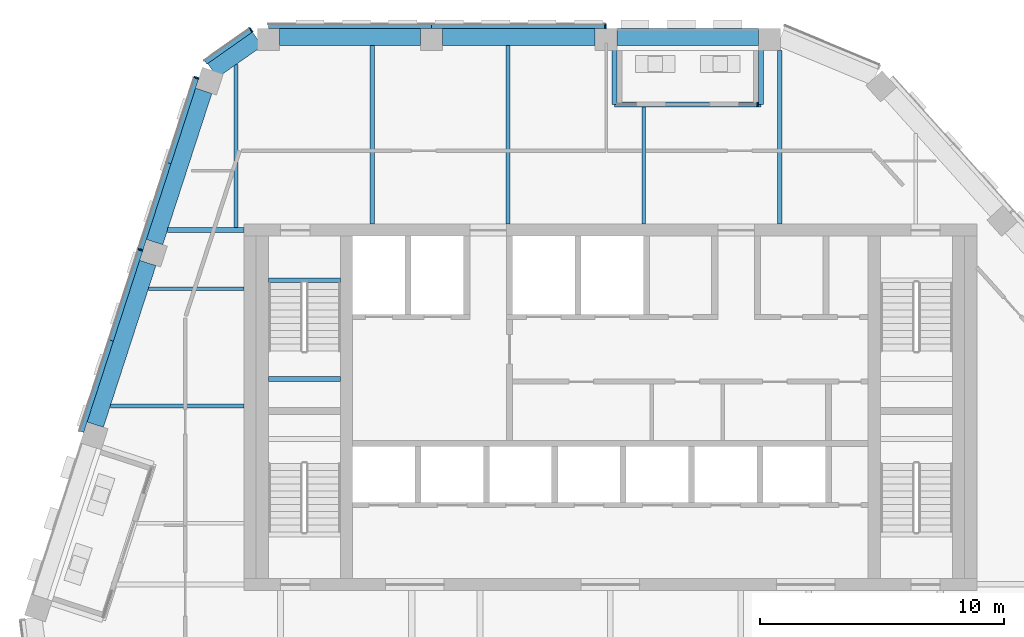
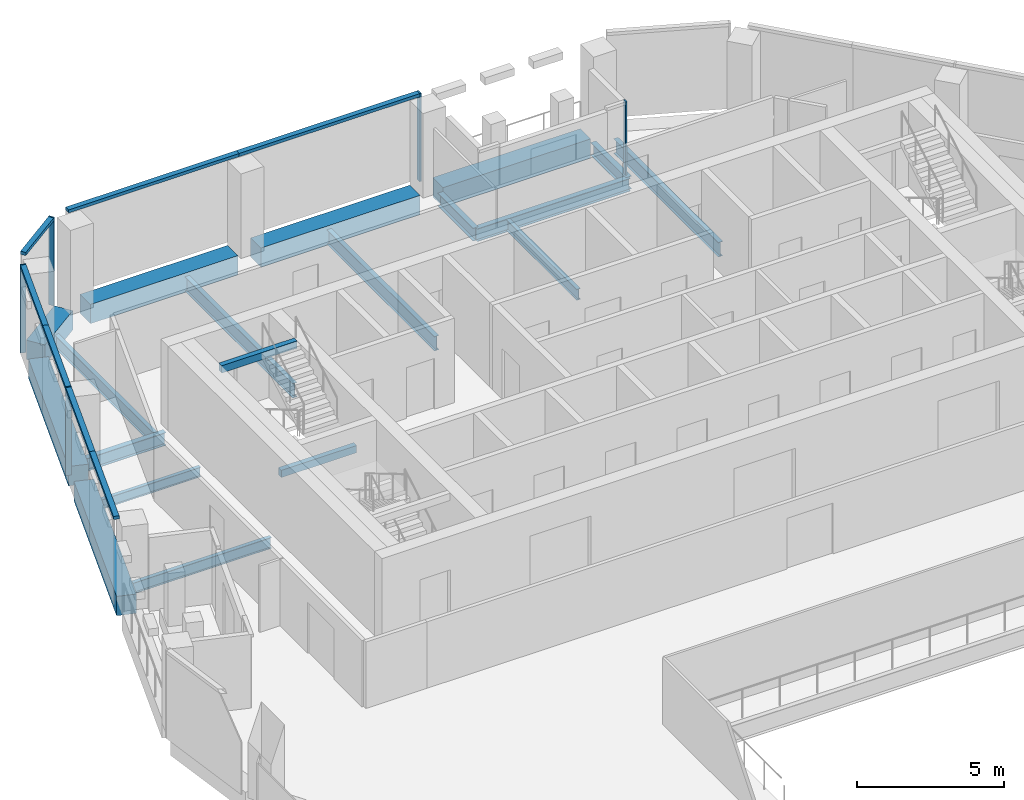
# One storey, part 7 of 22: 19 beams, 12 members, 4 elements without a shape of their own.
"""IFC4 building model written with IfcOpenShell, lengths in metres."""

import ifcopenshell
import ifcopenshell.guid

model = None  # the IFC model being written
_history = None  # IfcOwnerHistory: only IFC2X3 demands one
_inside = {}  # id of a spatial element -> (the spatial element, [elements in it])
_under = {}  # id of a project, library or spatial element -> (it, [spatial elements below it])
_declared = {}  # id of a project -> (the project, [libraries it declares])
_typed = {}  # id of a type object -> (the type object, [elements of that type])
_made_of = {}  # id of a material, layer set ... -> (it, [elements and type objects made of it])


def new_model(schema):
    """Start an empty IFC model of exactly this schema.

    Asked for "IFC4X3", IfcOpenShell would pick the latest addendum, in which some entities
    have other attributes; the version numbers below select the first issue.
    IFC2X3 requires an IfcOwnerHistory on every rooted entity: one is made here for all.
    """
    global model, _history
    if schema == "IFC4X3":
        model = ifcopenshell.file(schema_version=(4, 3, 0, 0))
    else:
        model = ifcopenshell.file(schema=schema)
    _inside.clear()
    _under.clear()
    _declared.clear()
    _typed.clear()
    _made_of.clear()
    _history = None
    if model.schema == "IFC2X3":
        org = make("IfcOrganization", Name="unknown")
        user = make(
            "IfcPersonAndOrganization",
            ThePerson=make("IfcPerson", FamilyName="unknown"),
            TheOrganization=org,
        )
        app = make(
            "IfcApplication",
            ApplicationDeveloper=org,
            Version="unknown",
            ApplicationFullName="unknown",
            ApplicationIdentifier="unknown",
        )
        _history = make(
            "IfcOwnerHistory",
            OwningUser=user,
            OwningApplication=app,
            ChangeAction="ADDED",
            CreationDate=0,
        )
    return model


def make(cls, **values):
    """One entity of the class cls with the attributes given. An attribute that is None is left unset."""
    return model.create_entity(
        cls, **{name: value for name, value in values.items() if value is not None}
    )


def rooted(cls, **values):
    """An entity with a GlobalId (a new one), such as an element, a storey or a relation."""
    return make(cls, GlobalId=ifcopenshell.guid.new(), OwnerHistory=_history, **values)


def si_unit(unit_type, name, prefix=None):
    """IfcSIUnit, for example si_unit("LENGTHUNIT", "METRE", prefix="MILLI")."""
    return make("IfcSIUnit", UnitType=unit_type, Prefix=prefix, Name=name)


def assignment(units):
    """IfcUnitAssignment: the units of a project."""
    return None if units is None else make("IfcUnitAssignment", Units=units)


def point(xyz):
    """IfcCartesianPoint."""
    return None if xyz is None else make("IfcCartesianPoint", Coordinates=xyz)


def direction(xyz):
    """IfcDirection."""
    return None if xyz is None else make("IfcDirection", DirectionRatios=xyz)


def frame(location, z_axis=None, x_axis=None):
    """IfcAxis2Placement3D, a coordinate frame: its origin and axes. An axis left out is left unset."""
    return make(
        "IfcAxis2Placement3D",
        Location=point(location),
        Axis=direction(z_axis),
        RefDirection=direction(x_axis),
    )


def frame_2d(location, x_axis=None):
    """IfcAxis2Placement2D, a coordinate frame in the plane: its origin and x axis."""
    return make(
        "IfcAxis2Placement2D", Location=point(location), RefDirection=direction(x_axis)
    )


def origin():
    """The frame at (0, 0, 0) with its axes left unset."""
    return frame((0.0, 0.0, 0.0))


def origin_2d():
    """The frame at (0, 0) in the plane with its x axis left unset."""
    return frame_2d((0.0, 0.0))


def place(relative_to, where):
    """IfcLocalPlacement: puts the frame where relative to a parent placement (None: the world)."""
    return make(
        "IfcLocalPlacement", PlacementRelTo=relative_to, RelativePlacement=where
    )


def context(
    kind, dimensions, precision=None, world=None, true_north=None, identifier=None
):
    """IfcGeometricRepresentationContext, for example the 3D "Model" context."""
    return make(
        "IfcGeometricRepresentationContext",
        ContextIdentifier=identifier,
        ContextType=kind,
        CoordinateSpaceDimension=dimensions,
        Precision=precision,
        WorldCoordinateSystem=world,
        TrueNorth=true_north,
    )


def subcontext(parent, identifier, kind, view, scale=None):
    """IfcGeometricRepresentationSubContext, for example "Body" below "Model"."""
    return make(
        "IfcGeometricRepresentationSubContext",
        ContextIdentifier=identifier,
        ContextType=kind,
        ParentContext=parent,
        TargetScale=scale,
        TargetView=view,
    )


def project(units=None, contexts=None):
    """IfcProject with its units and contexts."""
    return rooted(
        "IfcProject",
        Name="project",
        RepresentationContexts=contexts,
        UnitsInContext=assignment(units),
    )


def spatial(cls, under=None, at=None, **own):
    """A site, building, storey or space (cls), placed at a placement, below another one or the project."""
    s = rooted(cls, ObjectPlacement=at, **own)
    if under is not None:
        _under.setdefault(under.id(), (under, []))[1].append(s)
    return s


def profile(cls, at=None, kind="AREA", **sizes):
    """A parametric profile (cls). Its sizes go by their IFC names, for example OverallWidth=200.0."""
    return make(cls, ProfileType=kind, Position=at, **sizes)


def rectangle(**sizes):
    """IfcRectangleProfileDef."""
    return profile("IfcRectangleProfileDef", **sizes)


def i_section(**sizes):
    """IfcIShapeProfileDef."""
    return profile("IfcIShapeProfileDef", **sizes)


def extrude(swept, where, along, depth):
    """IfcExtrudedAreaSolid: the profile swept, set in the frame where, extruded along a direction by depth."""
    return make(
        "IfcExtrudedAreaSolid",
        SweptArea=swept,
        Position=where,
        ExtrudedDirection=direction(along),
        Depth=depth,
    )


def shape(context_of_items, identifier, shape_type, items):
    """IfcShapeRepresentation: the items that make up one representation, for example the "Body"."""
    return make(
        "IfcShapeRepresentation",
        ContextOfItems=context_of_items,
        RepresentationIdentifier=identifier,
        RepresentationType=shape_type,
        Items=items,
    )


def material(Name=None, Category=None):
    """IfcMaterial."""
    return make("IfcMaterial", Name=Name, Category=Category)


def layer(
    of_material, thickness, ventilated=None, Name=None, Category=None, Priority=None
):
    """IfcMaterialLayer: one layer of a wall or slab, of a material (None: an air gap)."""
    return make(
        "IfcMaterialLayer",
        Material=of_material,
        LayerThickness=thickness,
        IsVentilated=ventilated,
        Name=Name,
        Category=Category,
        Priority=Priority,
    )


def layer_set(layers, Name=None):
    """IfcMaterialLayerSet."""
    return make("IfcMaterialLayerSet", MaterialLayers=layers, LayerSetName=Name)


def material_profile(
    of_material, cross_section, Name=None, Category=None, Priority=None
):
    """IfcMaterialProfile: a cross section and its material."""
    return make(
        "IfcMaterialProfile",
        Name=Name,
        Material=of_material,
        Profile=cross_section,
        Priority=Priority,
        Category=Category,
    )


def profile_set(profiles, Name=None, composite=None):
    """IfcMaterialProfileSet."""
    return make(
        "IfcMaterialProfileSet",
        Name=Name,
        MaterialProfiles=profiles,
        CompositeProfile=composite,
    )


def made_of(thing, what):
    """Note that an element or type object is made of a material, layer set ...; save() writes the relation."""
    if what is not None:
        _made_of.setdefault(what.id(), (what, []))[1].append(thing)
    return thing


def type_object(cls, material=None, **own):
    """A type object (cls), such as IfcWallType, which elements share."""
    return made_of(rooted(cls, **own), material)


def element(
    cls,
    number,
    at=None,
    inside=None,
    cuts=None,
    type_object=None,
    material=None,
    context=None,
    identifier="Body",
    shape_type=None,
    held_by="IfcProductDefinitionShape",
    body=None,
    shapes=None,
    **own,
):
    """One element of the class cls, such as IfcWall. Its Tag is "e" and its number.

    at: its placement. inside: the storey or other place that contains it. cuts: it is an
    opening in that element (IfcRelVoidsElement). A single representation is given by context,
    identifier, shape_type and body (its items); several are given by shapes. held_by: the class
    of the entity that holds the representations. save() writes the other relations.
    """
    e = rooted(cls, Tag="e%d" % number, ObjectPlacement=at, **own)
    if body is not None:
        shapes = [shape(context, identifier, shape_type, body)]
    if shapes is not None:
        e.Representation = make(held_by, Representations=shapes)
    if inside is not None:
        _inside.setdefault(inside.id(), (inside, []))[1].append(e)
    if cuts is not None:
        rooted(
            "IfcRelVoidsElement", RelatingBuildingElement=cuts, RelatedOpeningElement=e
        )
    if type_object is not None:
        _typed.setdefault(type_object.id(), (type_object, []))[1].append(e)
    return made_of(e, material)


def aggregate(whole, parts):
    """IfcRelAggregates: a whole, such as a stair, and the parts it consists of."""
    return rooted("IfcRelAggregates", RelatingObject=whole, RelatedObjects=parts)


def save(model, path):
    """Write the relations noted so far, then the file.

    IfcRelAggregates (storeys below a building ...), IfcRelContainedInSpatialStructure (elements
    in a storey), IfcRelDefinesByType, IfcRelAssociatesMaterial and IfcRelDeclares: one each for
    every whole, place, type object, material and project.
    """
    for whole, parts in _under.values():
        aggregate(whole, parts)
    for where, things in _inside.values():
        rooted(
            "IfcRelContainedInSpatialStructure",
            RelatedElements=things,
            RelatingStructure=where,
        )
    for kind, things in _typed.values():
        rooted("IfcRelDefinesByType", RelatedObjects=things, RelatingType=kind)
    for what, things in _made_of.values():
        rooted("IfcRelAssociatesMaterial", RelatedObjects=things, RelatingMaterial=what)
    for by, libraries in _declared.values():
        rooted("IfcRelDeclares", RelatingContext=by, RelatedDefinitions=libraries)
    model.write(path)


model = new_model("IFC4")

# Units and contexts
model_context = context("Model", 3, precision=1e-05, world=origin(), true_north=direction((0.0, 1.0)))
body_context = subcontext(model_context, "Body", "Model", "MODEL_VIEW")
ifc_project = project(units=[si_unit("LENGTHUNIT", "METRE"), si_unit("AREAUNIT", "SQUARE_METRE"), si_unit("VOLUMEUNIT", "CUBIC_METRE"), si_unit("PLANEANGLEUNIT", "RADIAN"), si_unit("MASSUNIT", "GRAM", prefix="KILO")], contexts=[model_context])

# Site, building, storey
site_placement = place(None, origin())
site = spatial("IfcSite", under=ifc_project, at=site_placement, CompositionType="ELEMENT")
building_placement = place(site_placement, origin())
building = spatial("IfcBuilding", under=site, at=building_placement, Name="Isthmus Gate Tower", CompositionType="ELEMENT")
storey_placement = place(building_placement, frame((0.0, 0.0, 264.60009765625)))
storey = spatial("IfcBuildingStorey", under=building, at=storey_placement, Name="L67", CompositionType="ELEMENT", Elevation=264.60009765625)

# Curtain wall, member
ifc_material_1 = material(Name="Aluminium, pale champagne anodised", Category="aluminium")
ifc_layer_1 = layer(ifc_material_1, 0.199951171875)
ifc_layer_set_1 = layer_set([ifc_layer_1], Name="CW-1 UNITISED CURTAIN WALL 200 DEEP")
curtain_wall_type_1 = type_object("IfcCurtainWallType", Name="CW-1 UNITISED CURTAIN WALL 200 DEEP", PredefinedType="NOTDEFINED", material=ifc_layer_set_1)
curtain_wall_1_placement = place(storey_placement, origin())
curtain_wall_1 = element("IfcCurtainWall", 1, at=curtain_wall_1_placement, inside=storey, type_object=curtain_wall_type_1, Name="CW-1 N L67", PredefinedType="NOTDEFINED")
ifc_material_2 = material(Name="Aluminium, pale champagne anodised", Category="aluminium")
ifc_material_profile_1 = material_profile(ifc_material_2, rectangle(XDim=0.06005859375, YDim=0.199951171875, at=origin_2d()), Name="60x200")
ifc_profile_set_1 = profile_set([ifc_material_profile_1], Name="Aluminium, pale champagne anodised")
member_type_1 = type_object("IfcMemberType", Name="CW-1 MULLION 60 X 200", PredefinedType="MULLION", material=ifc_profile_set_1)
member_1_placement = place(storey_placement, frame((-0.205078125, 23.10009765625, 0.0), z_axis=(0.0, 0.0, 1.0), x_axis=(-1.0, 0.0, 0.0)))
member_1 = element("IfcMember", 2, at=member_1_placement, type_object=member_type_1, Name="CW-1 mullion", PredefinedType="MULLION", context=body_context, shape_type="SweptSolid", body=[
    extrude(rectangle(XDim=0.06005859375, YDim=0.199951171875, at=origin_2d()), origin(), (0.0, 0.0, 1.0), 3.64990234375),
])

curtain_wall_2_placement = place(storey_placement, origin())
curtain_wall_2 = element("IfcCurtainWall", 3, at=curtain_wall_2_placement, inside=storey, type_object=curtain_wall_type_1, Name="CW-1 N-NW L67", PredefinedType="NOTDEFINED")
member_2_placement = place(storey_placement, frame((-14.69873046875, 22.943115234375, 0.0), z_axis=(0.0, 0.0, 1.0), x_axis=(-0.81785959165, -0.57541783805, 0.0)))
member_2 = element("IfcMember", 4, at=member_2_placement, type_object=member_type_1, Name="CW-1 mullion", PredefinedType="MULLION", context=body_context, shape_type="SweptSolid", body=[
    extrude(rectangle(XDim=0.06005859375, YDim=0.199951171875, at=origin_2d()), origin(), (0.0, 0.0, 1.0), 3.64990234375),
])

# Curtain wall, members
curtain_wall_3_placement = place(storey_placement, origin())
curtain_wall_3 = element("IfcCurtainWall", 5, at=curtain_wall_3_placement, inside=storey, type_object=curtain_wall_type_1, Name="CW-1 NW L67", PredefinedType="NOTDEFINED")
member_3_placement = place(storey_placement, frame((-16.9404296875, 20.9892578125, 0.0), z_axis=(0.0, 0.0, 1.0), x_axis=(-0.309016994375, -0.951056516295, 0.0)))
member_3 = element("IfcMember", 6, at=member_3_placement, type_object=member_type_1, Name="CW-1 mullion", PredefinedType="MULLION", context=body_context, shape_type="SweptSolid", body=[
    extrude(rectangle(XDim=0.06005859375, YDim=0.199951171875, at=origin_2d()), origin(), (0.0, 0.0, 1.0), 3.64990234375),
])
member_4_placement = place(storey_placement, frame((-19.229248046875, 13.945068359375, 0.0), z_axis=(0.0, 0.0, 1.0), x_axis=(-0.309016994375, -0.951056516295, 0.0)))
member_4 = element("IfcMember", 7, at=member_4_placement, type_object=member_type_1, Name="CW-1 mullion", PredefinedType="MULLION", context=body_context, shape_type="SweptSolid", body=[
    extrude(rectangle(XDim=0.06005859375, YDim=0.199951171875, at=origin_2d()), origin(), (0.0, 0.0, 1.0), 3.64990234375),
])

# Member
ifc_material_3 = material(Name="Aluminium, pale champagne anodised", Category="aluminium")
ifc_material_profile_2 = material_profile(ifc_material_3, rectangle(XDim=0.199951171875, YDim=0.1298828125, at=origin_2d()), Name="200x130")
ifc_profile_set_2 = profile_set([ifc_material_profile_2], Name="Aluminium, pale champagne anodised")
member_type_2 = type_object("IfcMemberType", Name="CW-1 TRANSOM 200 X 130", PredefinedType="USERDEFINED", material=ifc_profile_set_2)
member_5_placement = place(storey_placement, frame((-0.235107421875, 23.10009765625, 3.5849609375), z_axis=(-1.0, 0.0, 0.0), x_axis=(0.0, -1.0, 0.0)))
member_5 = element("IfcMember", 8, at=member_5_placement, type_object=member_type_2, Name="CW-1 transom", ObjectType="TRANSOM", PredefinedType="USERDEFINED", context=body_context, shape_type="SweptSolid", body=[
    extrude(rectangle(XDim=0.199951171875, YDim=0.1298828125, at=origin_2d()), origin(), (0.0, 0.0, 1.0), 7.074462890625),
])

member_6_placement = place(storey_placement, frame((-7.3095703125, 23.10009765625, 3.5849609375), z_axis=(-1.0, 0.0, 0.0), x_axis=(0.0, -1.0, 0.0)))
member_6 = element("IfcMember", 9, at=member_6_placement, type_object=member_type_2, Name="CW-1 transom", ObjectType="TRANSOM", PredefinedType="USERDEFINED", context=body_context, shape_type="SweptSolid", body=[
    extrude(rectangle(XDim=0.199951171875, YDim=0.1298828125, at=origin_2d()), origin(), (0.0, 0.0, 1.0), 6.6845703125),
])

aggregate(curtain_wall_1, [member_1, member_5, member_6])

member_7_placement = place(storey_placement, frame((-14.723388671875, 22.92578125, 3.5849609375), z_axis=(-0.817868595604, -0.575405040233, 0.0), x_axis=(0.575405040233, -0.817868595604, 0.0)))
member_7 = element("IfcMember", 10, at=member_7_placement, type_object=member_type_2, Name="CW-1 transom", ObjectType="TRANSOM", PredefinedType="USERDEFINED", context=body_context, shape_type="SweptSolid", body=[
    extrude(rectangle(XDim=0.199951171875, YDim=0.1298828125, at=origin_2d()), origin(), (0.0, 0.0, 1.0), 2.258544921875),
])

aggregate(curtain_wall_2, [member_2, member_7])

member_8_placement = place(storey_placement, frame((-16.94970703125, 20.960693359375, 3.5849609375), z_axis=(-0.30904213216, -0.951048348166, 0.0), x_axis=(0.951048348166, -0.30904213216, 0.0)))
member_8 = element("IfcMember", 11, at=member_8_placement, type_object=member_type_2, Name="CW-1 transom", ObjectType="TRANSOM", PredefinedType="USERDEFINED", context=body_context, shape_type="SweptSolid", body=[
    extrude(rectangle(XDim=0.199951171875, YDim=0.1298828125, at=origin_2d()), origin(), (0.0, 0.0, 1.0), 3.6435546875),
])

member_9_placement = place(storey_placement, frame((-18.07568359375, 17.49560546875, 3.5849609375), z_axis=(-0.308999609488, -0.951062164812, 0.0), x_axis=(0.951062164812, -0.308999609488, 0.0)))
member_9 = element("IfcMember", 12, at=member_9_placement, type_object=member_type_2, Name="CW-1 transom", ObjectType="TRANSOM", PredefinedType="USERDEFINED", context=body_context, shape_type="SweptSolid", body=[
    extrude(rectangle(XDim=0.199951171875, YDim=0.1298828125, at=origin_2d()), origin(), (0.0, 0.0, 1.0), 3.703125),
])

member_10_placement = place(storey_placement, frame((-19.238525390625, 13.91650390625, 3.5849609375), z_axis=(-0.309061811928, -0.951041953022, 0.0), x_axis=(0.951041953022, -0.309061811928, 0.0)))
member_10 = element("IfcMember", 13, at=member_10_placement, type_object=member_type_2, Name="CW-1 transom", ObjectType="TRANSOM", PredefinedType="USERDEFINED", context=body_context, shape_type="SweptSolid", body=[
    extrude(rectangle(XDim=0.199951171875, YDim=0.1298828125, at=origin_2d()), origin(), (0.0, 0.0, 1.0), 3.868408203125),
])

member_11_placement = place(storey_placement, frame((-20.43408203125, 10.237548828125, 3.5849609375), z_axis=(-0.308984896154, -0.951066945041, 0.0), x_axis=(0.951066945041, -0.308984896154, 0.0)))
member_11 = element("IfcMember", 14, at=member_11_placement, type_object=member_type_2, Name="CW-1 transom", ObjectType="TRANSOM", PredefinedType="USERDEFINED", context=body_context, shape_type="SweptSolid", body=[
    extrude(rectangle(XDim=0.199951171875, YDim=0.1298828125, at=origin_2d()), origin(), (0.0, 0.0, 1.0), 3.928466796875),
])

aggregate(curtain_wall_3, [member_3, member_8, member_9, member_4, member_10, member_11])

# Curtain wall, member
ifc_material_4 = material(Name="Aluminium, pale champagne anodised", Category="aluminium")
ifc_layer_2 = layer(ifc_material_4, 0.14990234375)
ifc_layer_set_2 = layer_set([ifc_layer_2], Name="CW-6 LOGGIA BACK WALL GLAZING 150 DEEP")
curtain_wall_type_2 = type_object("IfcCurtainWallType", Name="CW-6 LOGGIA BACK WALL GLAZING 150 DEEP", PredefinedType="NOTDEFINED", material=ifc_layer_set_2)
curtain_wall_4_placement = place(storey_placement, origin())
curtain_wall_4 = element("IfcCurtainWall", 15, at=curtain_wall_4_placement, inside=storey, type_object=curtain_wall_type_2, Name="CW-6 N L67", PredefinedType="NOTDEFINED")
ifc_material_5 = material(Name="Aluminium, pale champagne anodised", Category="aluminium")
ifc_material_profile_3 = material_profile(ifc_material_5, rectangle(XDim=0.06005859375, YDim=0.14990234375, at=origin_2d()), Name="60x150")
ifc_profile_set_3 = profile_set([ifc_material_profile_3], Name="Aluminium, pale champagne anodised")
member_type_3 = type_object("IfcMemberType", Name="CW-6 MULLION 60 X 150", PredefinedType="MULLION", material=ifc_profile_set_3)
member_12_placement = place(storey_placement, frame((6.029541015625, 19.89990234375, 0.0), z_axis=(0.0, 0.0, 1.0), x_axis=(-1.0, 0.0, 0.0)))
member_12 = element("IfcMember", 16, at=member_12_placement, type_object=member_type_3, Name="CW-6 mullion", PredefinedType="MULLION", context=body_context, shape_type="SweptSolid", body=[
    extrude(rectangle(XDim=0.06005859375, YDim=0.14990234375, at=origin_2d()), origin(), (0.0, 0.0, 1.0), 3.0498046875),
])
aggregate(curtain_wall_4, [member_12])

# Beams
ifc_material_6 = material(Name="Concrete f'c 50 MPa", Category="concrete")
ifc_material_profile_4 = material_profile(ifc_material_6, rectangle(XDim=0.699951171875, YDim=0.800048828125, at=origin_2d()), Name="RC 700X800")
ifc_profile_set_4 = profile_set([ifc_material_profile_4], Name="Concrete f'c 50 MPa")
beam_type_1 = type_object("IfcBeamType", Name="RC SPANDREL 700 X 800", PredefinedType="SPANDREL", material=ifc_profile_set_4)
beam_1_placement = place(storey_placement, frame((-21.080810546875, 6.790283203125, -0.400146484375), z_axis=(0.309006716915, 0.951059855583, 0.0), x_axis=(-0.951059855583, 0.309006716915, 0.0)))
element("IfcBeam", 17, at=beam_1_placement, inside=storey, type_object=beam_type_1, Name="str-spandrel-L67-18", PredefinedType="SPANDREL", context=body_context, shape_type="SweptSolid", body=[
    extrude(rectangle(XDim=0.699951171875, YDim=0.800048828125, at=origin_2d()), origin(), (0.0, 0.0, 1.0), 6.956787109375),
])
beam_2_placement = place(storey_placement, frame((-18.653076171875, 14.262451171875, -0.400146484375), z_axis=(0.30901480678, 0.951057227085, 0.0), x_axis=(-0.951057227085, 0.30901480678, 0.0)))
element("IfcBeam", 18, at=beam_2_placement, inside=storey, type_object=beam_type_1, Name="str-spandrel-L67-19", PredefinedType="SPANDREL", context=body_context, shape_type="SweptSolid", body=[
    extrude(rectangle(XDim=0.699951171875, YDim=0.800048828125, at=origin_2d()), origin(), (0.0, 0.0, 1.0), 6.5068359375),
])
beam_3_placement = place(storey_placement, frame((-16.281005859375, 21.27978515625, -0.400146484375), z_axis=(0.817891678431, 0.57537222939, 0.0), x_axis=(-0.57537222939, 0.817891678431, 0.0)))
element("IfcBeam", 19, at=beam_3_placement, inside=storey, type_object=beam_type_1, Name="str-spandrel-L67-20", PredefinedType="SPANDREL", context=body_context, shape_type="SweptSolid", body=[
    extrude(rectangle(XDim=0.699951171875, YDim=0.800048828125, at=origin_2d()), origin(), (0.0, 0.0, 1.0), 2.245849609375),
])
beam_4_placement = place(storey_placement, frame((-13.544189453125, 22.64990234375, -0.400146484375), z_axis=(1.0, 0.0, 0.0), x_axis=(0.0, 1.0, 0.0)))
element("IfcBeam", 20, at=beam_4_placement, inside=storey, type_object=beam_type_1, Name="str-spandrel-L67-21", PredefinedType="SPANDREL", context=body_context, shape_type="SweptSolid", body=[
    extrude(rectangle(XDim=0.699951171875, YDim=0.800048828125, at=origin_2d()), origin(), (0.0, 0.0, 1.0), 5.78466796875),
])
beam_5_placement = place(storey_placement, frame((-6.859619140625, 22.64990234375, -0.400146484375), z_axis=(1.0, 0.0, 0.0), x_axis=(0.0, 1.0, 0.0)))
element("IfcBeam", 21, at=beam_5_placement, inside=storey, type_object=beam_type_1, Name="str-spandrel-L67-22", PredefinedType="SPANDREL", context=body_context, shape_type="SweptSolid", body=[
    extrude(rectangle(XDim=0.699951171875, YDim=0.800048828125, at=origin_2d()), origin(), (0.0, 0.0, 1.0), 6.234619140625),
])
beam_6_placement = place(storey_placement, frame((0.27490234375, 22.64990234375, -0.400146484375), z_axis=(1.0, 0.0, 0.0), x_axis=(0.0, 1.0, 0.0)))
element("IfcBeam", 22, at=beam_6_placement, inside=storey, type_object=beam_type_1, Name="str-spandrel-L67-23", PredefinedType="SPANDREL", context=body_context, shape_type="SweptSolid", body=[
    extrude(rectangle(XDim=0.699951171875, YDim=0.800048828125, at=origin_2d()), origin(), (0.0, 0.0, 1.0), 5.784423828125),
])
ifc_material_7 = material(Name="Concrete f'c 40 MPa", Category="concrete")
ifc_material_profile_5 = material_profile(ifc_material_7, rectangle(XDim=0.199951171875, YDim=0.300048828125, at=origin_2d()), Name="STAIR LANDING BEAM RC 200 X 300")
ifc_profile_set_5 = profile_set([ifc_material_profile_5], Name="Concrete f'c 40 MPa")
beam_type_2 = type_object("IfcBeamType", Name="STAIR LANDING BEAM RC 200 X 300", PredefinedType="BEAM", material=ifc_profile_set_5)
for number, where, z_axis, x_axis, name in (
    (23, (-14.0, 8.64990234375, 1.474853515625), (1.0, 0.0, 0.0), (0.0, 1.0, 0.0), "L67 ST1 landing beam 1"),
    (24, (-14.0, 12.7001953125, 3.349853515625), (1.0, 0.0, 0.0), (0.0, 1.0, 0.0), "L67 ST1 floor-edge seat beam"),
):
    element("IfcBeam", number, at=place(storey_placement, frame(where, z_axis=z_axis, x_axis=x_axis)), inside=storey, type_object=beam_type_2, Name=name, PredefinedType="BEAM", context=body_context, shape_type="SweptSolid", body=[
        extrude(rectangle(XDim=0.199951171875, YDim=0.300048828125, at=origin_2d()), origin(), (0.0, 0.0, 1.0), 2.949951171875),
    ])
ifc_material_8 = material(Name="Structural steel ASTM A992 Gr 50", Category="steel")
ifc_material_profile_6 = material_profile(ifc_material_8, i_section(OverallWidth=0.1396484375, OverallDepth=0.4033203125, WebThickness=0.00634765625, FlangeThickness=0.010986328125, at=origin_2d()), Name="W16X31")
ifc_profile_set_6 = profile_set([ifc_material_profile_6], Name="Structural steel ASTM A992 Gr 50")
beam_type_3 = type_object("IfcBeamType", Name="STEEL FLOOR BEAM W16X31", PredefinedType="JOIST", material=ifc_profile_set_6)
beam_7_placement = place(storey_placement, frame((-18.906005859375, 12.350830078125, -0.351806640625), z_axis=(1.0, 0.0, 0.0), x_axis=(0.0, 1.0, 0.0)))
element("IfcBeam", 25, at=beam_7_placement, inside=storey, type_object=beam_type_3, Name="str-beam-L67-02-02", PredefinedType="JOIST", context=body_context, shape_type="SweptSolid", body=[
    extrude(i_section(OverallWidth=0.1396484375, OverallDepth=0.4033203125, WebThickness=0.00634765625, FlangeThickness=0.010986328125, at=origin_2d()), origin(), (0.0, 0.0, 1.0), 3.906005859375),
])
ifc_material_9 = material(Name="Structural steel ASTM A992 Gr 50", Category="steel")
ifc_material_profile_7 = material_profile(ifc_material_9, i_section(OverallWidth=0.15234375, OverallDepth=0.45068359375, WebThickness=0.0078125, FlangeThickness=0.010986328125, at=origin_2d()), Name="W18X35")
ifc_profile_set_7 = profile_set([ifc_material_profile_7], Name="Structural steel ASTM A992 Gr 50")
beam_type_4 = type_object("IfcBeamType", Name="STEEL FLOOR BEAM W18X35", PredefinedType="JOIST", material=ifc_profile_set_7)
beam_8_placement = place(storey_placement, frame((-20.46533203125, 7.552490234375, -0.37548828125), z_axis=(1.0, 0.0, 0.0), x_axis=(0.0, 1.0, 0.0)))
element("IfcBeam", 26, at=beam_8_placement, inside=storey, type_object=beam_type_4, Name="str-beam-L67-02-01", PredefinedType="JOIST", context=body_context, shape_type="SweptSolid", body=[
    extrude(i_section(OverallWidth=0.15234375, OverallDepth=0.45068359375, WebThickness=0.0078125, FlangeThickness=0.010986328125, at=origin_2d()), origin(), (0.0, 0.0, 1.0), 5.46533203125),
])
beam_9_placement = place(storey_placement, frame((1.372802734375, 15.0, -0.37548828125), z_axis=(0.0, 1.0, 0.0), x_axis=(-1.0, 0.0, 0.0)))
element("IfcBeam", 27, at=beam_9_placement, inside=storey, type_object=beam_type_4, Name="str-beam-L67-11-03", PredefinedType="JOIST", context=body_context, shape_type="SweptSolid", body=[
    extrude(i_section(OverallWidth=0.15234375, OverallDepth=0.45068359375, WebThickness=0.0078125, FlangeThickness=0.010986328125, at=origin_2d()), origin(), (0.0, 0.0, 1.0), 4.79052734375),
])
ifc_material_10 = material(Name="Structural steel ASTM A992 Gr 50", Category="steel")
ifc_material_profile_8 = material_profile(ifc_material_10, i_section(OverallWidth=0.1650390625, OverallDepth=0.52392578125, WebThickness=0.009521484375, FlangeThickness=0.010986328125, at=origin_2d()), Name="W21X44")
ifc_profile_set_8 = profile_set([ifc_material_profile_8], Name="Structural steel ASTM A992 Gr 50")
beam_type_5 = type_object("IfcBeamType", Name="STEEL FLOOR BEAM W21X44", PredefinedType="JOIST", material=ifc_profile_set_8)
beam_10_placement = place(storey_placement, frame((-15.311767578125, 14.854736328125, -0.412109375), z_axis=(0.0, 1.0, 0.0), x_axis=(-1.0, 0.0, 0.0)))
element("IfcBeam", 28, at=beam_10_placement, inside=storey, type_object=beam_type_5, Name="str-beam-L67-11-00", PredefinedType="JOIST", context=body_context, shape_type="SweptSolid", body=[
    extrude(i_section(OverallWidth=0.1650390625, OverallDepth=0.52392578125, WebThickness=0.009521484375, FlangeThickness=0.010986328125, at=origin_2d()), origin(), (0.0, 0.0, 1.0), 6.678955078125),
])
ifc_material_11 = material(Name="Structural steel ASTM A992 Gr 50", Category="steel")
ifc_material_profile_9 = material_profile(ifc_material_11, i_section(OverallWidth=0.177734375, OverallDepth=0.60009765625, WebThickness=0.009521484375, FlangeThickness=0.0126953125, at=origin_2d()), Name="W24X55")
ifc_profile_set_9 = profile_set([ifc_material_profile_9], Name="Structural steel ASTM A992 Gr 50")
beam_type_6 = type_object("IfcBeamType", Name="STEEL FLOOR BEAM W24X55", PredefinedType="JOIST", material=ifc_profile_set_9)
for number, where, z_axis, x_axis, name in (
    (29, (-9.750244140625, 15.0, -0.4501953125), (0.0, 1.0, 0.0), (-1.0, 0.0, 0.0), "str-beam-L67-11-01"),
    (30, (-4.188720703125, 15.0, -0.4501953125), (0.0, 1.0, 0.0), (-1.0, 0.0, 0.0), "str-beam-L67-11-02"),
):
    element("IfcBeam", number, at=place(storey_placement, frame(where, z_axis=z_axis, x_axis=x_axis)), inside=storey, type_object=beam_type_6, Name=name, PredefinedType="JOIST", context=body_context, shape_type="SweptSolid", body=[
        extrude(i_section(OverallWidth=0.177734375, OverallDepth=0.60009765625, WebThickness=0.009521484375, FlangeThickness=0.0126953125, at=origin_2d()), origin(), (0.0, 0.0, 1.0), 7.300048828125),
    ])
beam_11_placement = place(storey_placement, frame((6.93408203125, 15.0, -0.4501953125), z_axis=(0.0, 1.0, 0.0), x_axis=(-1.0, 0.0, 0.0)))
element("IfcBeam", 31, at=beam_11_placement, inside=storey, type_object=beam_type_6, Name="str-beam-L67-11-04", PredefinedType="JOIST", context=body_context, shape_type="SweptSolid", body=[
    extrude(i_section(OverallWidth=0.177734375, OverallDepth=0.60009765625, WebThickness=0.009521484375, FlangeThickness=0.0126953125, at=origin_2d()), origin(), (0.0, 0.0, 1.0), 7.10009765625),
])
ifc_material_12 = material(Name="Structural steel ASTM A992 Gr 50", Category="steel")
ifc_material_profile_10 = material_profile(ifc_material_12, i_section(OverallWidth=0.20947265625, OverallDepth=0.533447265625, WebThickness=0.009521484375, FlangeThickness=0.015869140625, at=origin_2d()), Name="W21X62")
ifc_profile_set_10 = profile_set([ifc_material_profile_10], Name="Structural steel ASTM A992 Gr 50")
beam_type_7 = type_object("IfcBeamType", Name="STEEL GIRDER W21X62", PredefinedType="BEAM", material=ifc_profile_set_10)
beam_12_placement = place(storey_placement, frame((-15.0, 14.75, -0.416748046875), z_axis=(-1.0, 0.0, 0.0), x_axis=(0.0, -1.0, 0.0)))
element("IfcBeam", 32, at=beam_12_placement, inside=storey, type_object=beam_type_7, Name="str-girder-L67-11", PredefinedType="BEAM", context=body_context, shape_type="SweptSolid", body=[
    extrude(i_section(OverallWidth=0.20947265625, OverallDepth=0.533447265625, WebThickness=0.009521484375, FlangeThickness=0.015869140625, at=origin_2d()), origin(), (0.0, 0.0, 1.0), 3.12646484375),
])
ifc_material_13 = material(Name="Structural steel ASTM A992 Gr 50", Category="steel")
ifc_material_profile_11 = material_profile(ifc_material_13, i_section(OverallWidth=0.20947265625, OverallDepth=0.533447265625, WebThickness=0.009521484375, FlangeThickness=0.015869140625, at=origin_2d()), Name="W21X62")
ifc_profile_set_11 = profile_set([ifc_material_profile_11], Name="Structural steel ASTM A992 Gr 50")
beam_type_8 = type_object("IfcBeamType", Name="STEEL TRIMMER W21X62", PredefinedType="BEAM", material=ifc_profile_set_11)
beam_13_placement = place(storey_placement, frame((6.164306640625, 19.895263671875, -0.416748046875), z_axis=(-1.0, 0.0, 0.0), x_axis=(0.0, -1.0, 0.0)))
element("IfcBeam", 33, at=beam_13_placement, inside=storey, type_object=beam_type_8, Name="str-loggiatrim-L67-01-B", PredefinedType="BEAM", context=body_context, shape_type="SweptSolid", body=[
    extrude(i_section(OverallWidth=0.20947265625, OverallDepth=0.533447265625, WebThickness=0.009521484375, FlangeThickness=0.015869140625, at=origin_2d()), origin(), (0.0, 0.0, 1.0), 5.994140625),
])
for number, where, z_axis, x_axis, name in (
    (34, (6.164306640625, 22.300048828125, -0.416748046875), (0.0, -1.0, 0.0), (1.0, 0.0, 0.0), "str-loggiatrim-L67-01-A"),
    (35, (0.170166015625, 22.300048828125, -0.416748046875), (0.0, -1.0, 0.0), (1.0, 0.0, 0.0), "str-loggiatrim-L67-01-C"),
):
    element("IfcBeam", number, at=place(storey_placement, frame(where, z_axis=z_axis, x_axis=x_axis)), inside=storey, type_object=beam_type_8, Name=name, PredefinedType="BEAM", context=body_context, shape_type="SweptSolid", body=[
        extrude(i_section(OverallWidth=0.20947265625, OverallDepth=0.533447265625, WebThickness=0.009521484375, FlangeThickness=0.015869140625, at=origin_2d()), origin(), (0.0, 0.0, 1.0), 2.40478515625),
    ])

save(model, "model.ifc")
